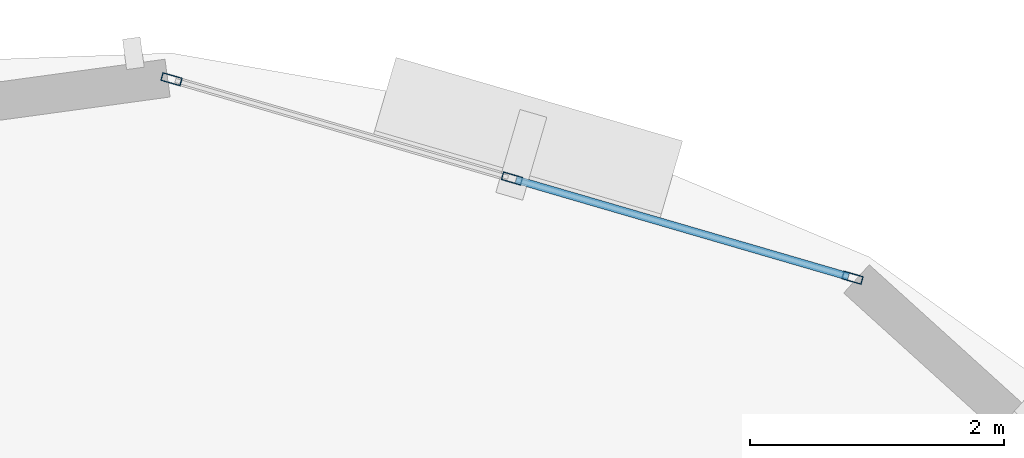
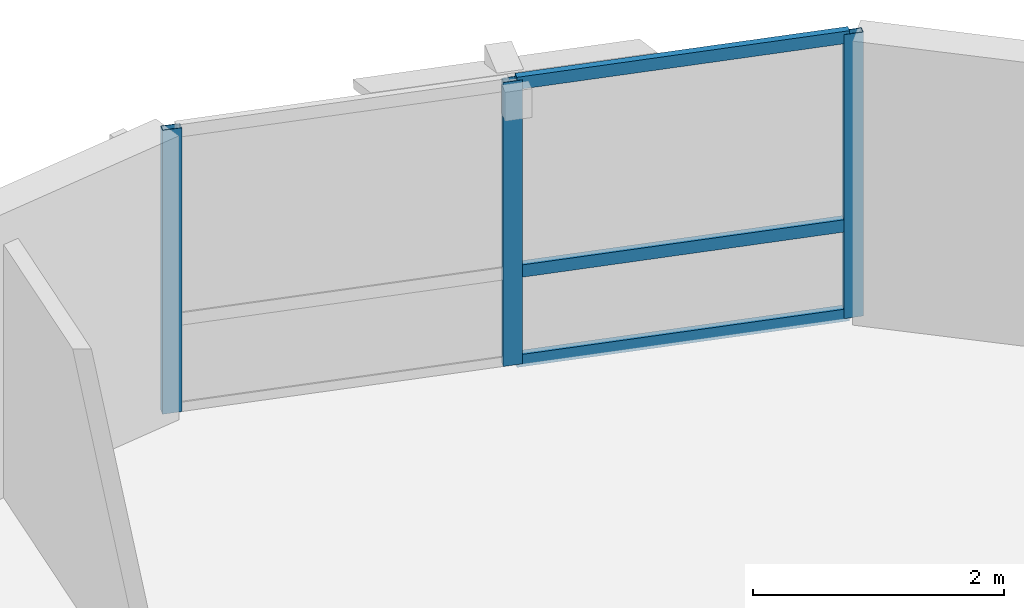
# One storey, part 5 of 11: 6 members, 1 element without a shape of its own.
"""IFC4 building model written with IfcOpenShell, lengths in metres."""

from ifc_helpers import new_model, si_unit, direction, frame, origin, origin_2d, place, context, subcontext, project, spatial, hollow_rectangle, extrude, material, layer, layer_set, material_profile, profile_set, type_object, element, aggregate, save


model = new_model("IFC4")

# Units and contexts
model_context = context("Model", 3, precision=1e-05, world=origin(), true_north=direction((0.0, 1.0)))
body_context = subcontext(model_context, "Body", "Model", "MODEL_VIEW")
ifc_project = project(units=[si_unit("LENGTHUNIT", "METRE"), si_unit("AREAUNIT", "SQUARE_METRE"), si_unit("VOLUMEUNIT", "CUBIC_METRE"), si_unit("PLANEANGLEUNIT", "RADIAN"), si_unit("MASSUNIT", "GRAM", prefix="KILO"), si_unit("THERMODYNAMICTEMPERATUREUNIT", "KELVIN"), si_unit("POWERUNIT", "WATT")], contexts=[model_context])

# Site, building, storey
site_placement = place(None, origin())
site = spatial("IfcSite", under=ifc_project, at=site_placement, CompositionType="ELEMENT")
building_placement = place(site_placement, origin())
building = spatial("IfcBuilding", under=site, at=building_placement, Name="Ocrelia Relay Tower", CompositionType="ELEMENT")
storey_placement = place(building_placement, frame((0.0, 0.0, 280.800048828125)))
storey = spatial("IfcBuildingStorey", under=building, at=storey_placement, Name="L70", CompositionType="ELEMENT", Elevation=280.800048828125)

# Curtain wall, members
ifc_material_1 = material(Name="Aluminium and solar-control low-E glass", Category="aluminium")
ifc_layer = layer(ifc_material_1, 0.179931640625, Name="Aluminium and solar-control low-E glass")
ifc_layer_set = layer_set([ifc_layer], Name="Aluminium and solar-control low-E glass")
curtain_wall_type = type_object("IfcCurtainWallType", Name="CW-SYS-Z4-EXEC", PredefinedType="NOTDEFINED", material=ifc_layer_set)
curtain_wall_placement = place(storey_placement, origin())
curtain_wall = element("IfcCurtainWall", 1, at=curtain_wall_placement, inside=storey, type_object=curtain_wall_type, Name="L70 Elliptical Tower Curtain Wall Bay 01", PredefinedType="NOTDEFINED")
ifc_material_2 = material(Name="Anodised bronze aluminium", Category="aluminium")
ifc_material_profile_1 = material_profile(ifc_material_2, hollow_rectangle(XDim=0.06494140625, YDim=0.159912109375, WallThickness=0.0048828125, at=origin_2d()), Name="CW-MUL-160x65")
ifc_profile_set_1 = profile_set([ifc_material_profile_1], Name="Anodised bronze aluminium")
member_type_1 = type_object("IfcMemberType", Name="CW-SYS-Z4-EXEC-MUL", PredefinedType="MULLION", material=ifc_profile_set_1)
member_1_placement = place(storey_placement, frame((44.2138671875, 44.340576171875, 0.0), z_axis=(0.0, 0.0, 1.0), x_axis=(-0.279787277627, -0.960062018454, 0.0)))
member_1 = element("IfcMember", 2, at=member_1_placement, type_object=member_type_1, Name="CW-Z4 mullion 1", PredefinedType="MULLION", context=body_context, shape_type="SweptSolid", body=[
    extrude(hollow_rectangle(XDim=0.06494140625, YDim=0.159912109375, WallThickness=0.0048828125, at=origin_2d()), origin(), (0.0, 0.0, 1.0), 2.760009765625),
])
member_2_placement = place(storey_placement, frame((41.53271484375, 45.121826171875, 0.0), z_axis=(0.0, 0.0, 1.0), x_axis=(-0.279787277627, -0.960062018454, 0.0)))
member_2 = element("IfcMember", 3, at=member_2_placement, type_object=member_type_1, Name="CW-Z4 mullion 2", PredefinedType="MULLION", context=body_context, shape_type="SweptSolid", body=[
    extrude(hollow_rectangle(XDim=0.06494140625, YDim=0.159912109375, WallThickness=0.0048828125, at=origin_2d()), origin(), (0.0, 0.0, 1.0), 2.760009765625),
])
member_3_placement = place(storey_placement, frame((38.8515625, 45.9033203125, 0.0), z_axis=(0.0, 0.0, 1.0), x_axis=(-0.279787277627, -0.960062018454, 0.0)))
member_3 = element("IfcMember", 4, at=member_3_placement, type_object=member_type_1, Name="CW-Z4 mullion 3", PredefinedType="MULLION", context=body_context, shape_type="SweptSolid", body=[
    extrude(hollow_rectangle(XDim=0.06494140625, YDim=0.159912109375, WallThickness=0.0048828125, at=origin_2d()), origin(), (0.0, 0.0, 1.0), 2.760009765625),
])
ifc_material_profile_2 = material_profile(ifc_material_2, hollow_rectangle(XDim=0.06005859375, YDim=0.1201171875, WallThickness=0.0048828125, at=origin_2d()), Name="CW-TRN-120x60")
ifc_profile_set_2 = profile_set([ifc_material_profile_2], Name="Anodised bronze aluminium")
member_type_2 = type_object("IfcMemberType", Name="CW-SYS-Z4-EXEC-TRN", PredefinedType="USERDEFINED", material=ifc_profile_set_2)
member_4_placement = place(storey_placement, frame((44.1826171875, 44.349609375, 0.030029296875), z_axis=(-0.960058123415, 0.279800642718, 0.0), x_axis=(-0.279800642718, -0.960058123415, 0.0)))
member_4 = element("IfcMember", 5, at=member_4_placement, type_object=member_type_2, Name="CW-Z4 transom 1.1", ObjectType="TRANSOM", PredefinedType="USERDEFINED", context=body_context, shape_type="SweptSolid", body=[
    extrude(hollow_rectangle(XDim=0.06005859375, YDim=0.1201171875, WallThickness=0.0048828125, at=origin_2d()), origin(), (0.0, 0.0, 1.0), 2.7275390625),
])
member_5_placement = place(storey_placement, frame((44.1826171875, 44.349609375, 0.89990234375), z_axis=(-0.960058123415, 0.279800642718, 0.0), x_axis=(-0.279800642718, -0.960058123415, 0.0)))
member_5 = element("IfcMember", 6, at=member_5_placement, type_object=member_type_2, Name="CW-Z4 transom 1.2", ObjectType="TRANSOM", PredefinedType="USERDEFINED", context=body_context, shape_type="SweptSolid", body=[
    extrude(hollow_rectangle(XDim=0.06005859375, YDim=0.1201171875, WallThickness=0.0048828125, at=origin_2d()), origin(), (0.0, 0.0, 1.0), 2.7275390625),
])
member_6_placement = place(storey_placement, frame((44.1826171875, 44.349609375, 2.72998046875), z_axis=(-0.960058123415, 0.279800642718, 0.0), x_axis=(-0.279800642718, -0.960058123415, 0.0)))
member_6 = element("IfcMember", 7, at=member_6_placement, type_object=member_type_2, Name="CW-Z4 transom 1.3", ObjectType="TRANSOM", PredefinedType="USERDEFINED", context=body_context, shape_type="SweptSolid", body=[
    extrude(hollow_rectangle(XDim=0.06005859375, YDim=0.1201171875, WallThickness=0.0048828125, at=origin_2d()), origin(), (0.0, 0.0, 1.0), 2.7275390625),
])
aggregate(curtain_wall, [member_1, member_2, member_3, member_4, member_5, member_6])

save(model, "model.ifc")
